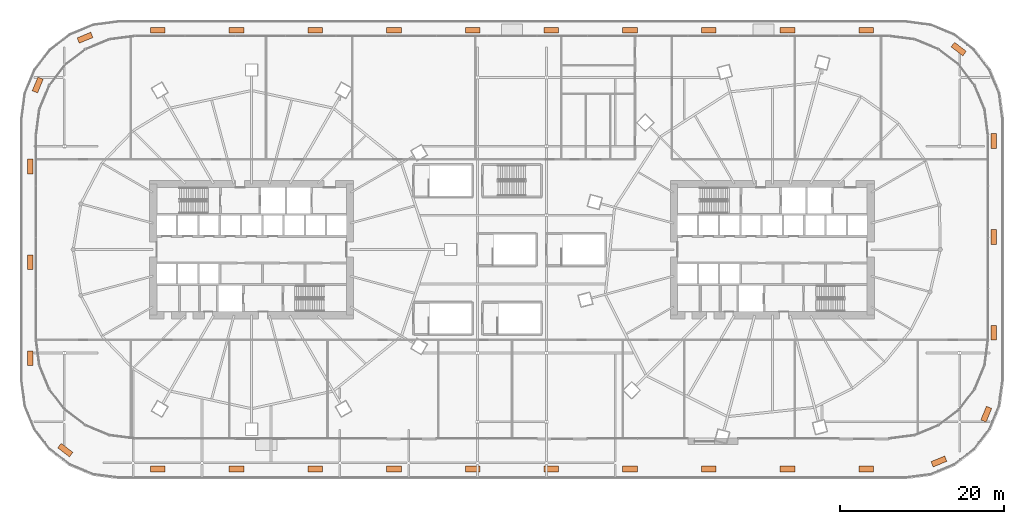
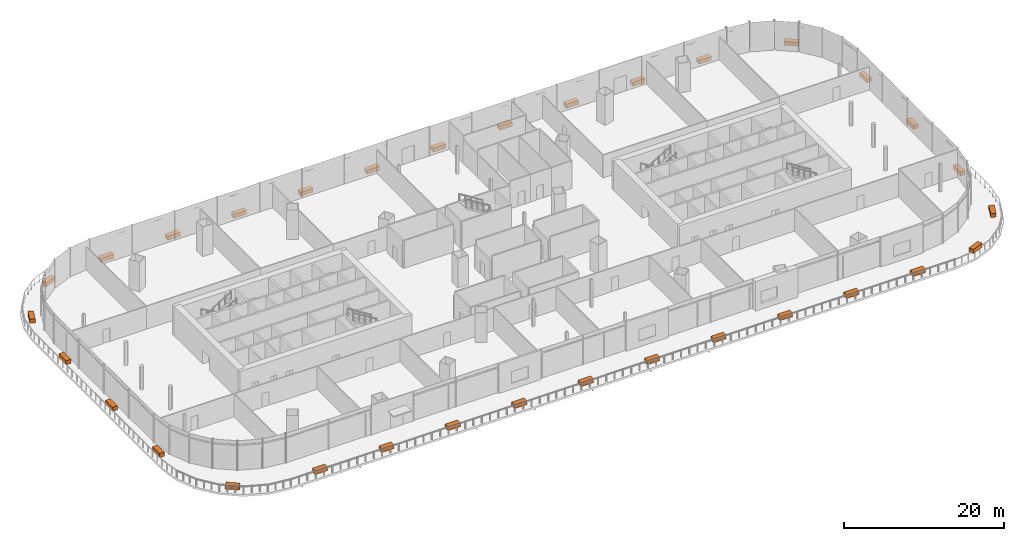
# One storey, part 49 of 49: 32 proxies.
"""IFC4 building model written with IfcOpenShell, lengths in metres."""

from ifc_helpers import new_model, si_unit, direction, frame, origin, origin_2d, place, context, subcontext, project, spatial, rectangle, extrude, material, type_object, element, save


model = new_model("IFC4")

# Units and contexts
model_context = context("Model", 3, precision=1e-05, world=origin(), true_north=direction((0.0, 1.0)))
body_context = subcontext(model_context, "Body", "Model", "MODEL_VIEW")
ifc_project = project(units=[si_unit("LENGTHUNIT", "METRE"), si_unit("AREAUNIT", "SQUARE_METRE"), si_unit("VOLUMEUNIT", "CUBIC_METRE"), si_unit("PLANEANGLEUNIT", "RADIAN"), si_unit("MASSUNIT", "GRAM", prefix="KILO")], contexts=[model_context])

# Site, building, storey
site_placement = place(None, origin())
site = spatial("IfcSite", under=ifc_project, at=site_placement, CompositionType="ELEMENT")
building_placement = place(site_placement, origin())
building = spatial("IfcBuilding", under=site, at=building_placement, Name="Rimbun Link Towers", CompositionType="ELEMENT")
storey_placement = place(building_placement, frame((0.0, 0.0, 25.5)))
storey = spatial("IfcBuildingStorey", under=building, at=storey_placement, Name="L05", CompositionType="ELEMENT", Elevation=25.5)

# Proxies
ifc_material = material(Name="Concrete C30/37", Category="concrete")
building_element_proxy_type = type_object("IfcBuildingElementProxyType", Name="PLANTER precast box 1800X700X600", PredefinedType="USERDEFINED", material=ifc_material)
for number, where, z_axis, x_axis, name in (
    (1, (52.068359375, -25.83935546875, 0.0), (0.0, 0.0, 1.0), (0.923881438965, 0.382678829747, 0.0), "PLANTER"),
    (2, (57.83935546875, -20.068359375, 0.0), (0.0, 0.0, 1.0), (0.382678829747, 0.923881438965, 0.0), "PLANTER"),
    (3, (58.75, -10.142333984375, 0.0), (0.0, 0.0, 1.0), (0.0, 1.0, 0.0), "PLANTER"),
    (4, (58.75, 1.546630859375, 0.0), (0.0, 0.0, 1.0), (0.0, 1.0, 0.0), "PLANTER"),
    (5, (58.75, 13.235595703125, 0.0), (0.0, 0.0, 1.0), (0.0, 1.0, 0.0), "PLANTER"),
    (6, (54.4765625, 24.451171875, 0.0), (0.0, 0.0, 1.0), (-0.793359162281, 0.608753841569, 0.0), "PLANTER"),
    (7, (43.188232421875, 26.75, 0.0), (0.0, 0.0, 1.0), (-1.0, 0.0, 0.0), "PLANTER"),
    (8, (33.5908203125, 26.75, 0.0), (0.0, 0.0, 1.0), (-1.0, 0.0, 0.0), "PLANTER"),
    (9, (23.993408203125, 26.75, 0.0), (0.0, 0.0, 1.0), (-1.0, 0.0, 0.0), "PLANTER"),
    (10, (14.39599609375, 26.75, 0.0), (0.0, 0.0, 1.0), (-1.0, 0.0, 0.0), "PLANTER"),
    (11, (4.798583984375, 26.75, 0.0), (0.0, 0.0, 1.0), (-1.0, 0.0, 0.0), "PLANTER"),
    (12, (-4.798583984375, 26.75, 0.0), (0.0, 0.0, 1.0), (-1.0, 0.0, 0.0), "PLANTER"),
    (13, (-14.39599609375, 26.75, 0.0), (0.0, 0.0, 1.0), (-1.0, 0.0, 0.0), "PLANTER"),
    (14, (-23.993408203125, 26.75, 0.0), (0.0, 0.0, 1.0), (-1.0, 0.0, 0.0), "PLANTER"),
    (15, (-33.5908203125, 26.75, 0.0), (0.0, 0.0, 1.0), (-1.0, 0.0, 0.0), "PLANTER"),
    (16, (-43.188232421875, 26.75, 0.0), (0.0, 0.0, 1.0), (-1.0, 0.0, 0.0), "PLANTER"),
    (17, (-52.068359375, 25.83935546875, 0.0), (0.0, 0.0, 1.0), (-0.923881438965, -0.382678829747, 0.0), "PLANTER"),
    (18, (-57.83935546875, 20.068359375, 0.0), (0.0, 0.0, 1.0), (-0.382678829747, -0.923881438965, 0.0), "PLANTER"),
    (19, (-58.75, 10.142333984375, 0.0), (0.0, 0.0, 1.0), (0.0, -1.0, 0.0), "PLANTER"),
    (20, (-58.75, -1.546630859375, 0.0), (0.0, 0.0, 1.0), (0.0, -1.0, 0.0), "PLANTER"),
    (21, (-58.75, -13.235595703125, 0.0), (0.0, 0.0, 1.0), (0.0, -1.0, 0.0), "PLANTER"),
    (22, (-54.4765625, -24.451171875, 0.0), (0.0, 0.0, 1.0), (0.793359162281, -0.608753841569, 0.0), "PLANTER"),
    (23, (-43.188232421875, -26.75, 0.0), (0.0, 0.0, 1.0), (1.0, 0.0, 0.0), "PLANTER"),
    (24, (-33.5908203125, -26.75, 0.0), (0.0, 0.0, 1.0), (1.0, 0.0, 0.0), "PLANTER"),
    (25, (-23.993408203125, -26.75, 0.0), (0.0, 0.0, 1.0), (1.0, 0.0, 0.0), "PLANTER"),
    (26, (-14.39599609375, -26.75, 0.0), (0.0, 0.0, 1.0), (1.0, 0.0, 0.0), "PLANTER"),
    (27, (-4.798583984375, -26.75, 0.0), (0.0, 0.0, 1.0), (1.0, 0.0, 0.0), "PLANTER"),
    (28, (4.798583984375, -26.75, 0.0), (0.0, 0.0, 1.0), (1.0, 0.0, 0.0), "PLANTER"),
    (29, (14.39599609375, -26.75, 0.0), (0.0, 0.0, 1.0), (1.0, 0.0, 0.0), "PLANTER"),
    (30, (23.993408203125, -26.75, 0.0), (0.0, 0.0, 1.0), (1.0, 0.0, 0.0), "PLANTER"),
    (31, (33.5908203125, -26.75, 0.0), (0.0, 0.0, 1.0), (1.0, 0.0, 0.0), "PLANTER"),
    (32, (43.188232421875, -26.75, 0.0), (0.0, 0.0, 1.0), (1.0, 0.0, 0.0), "PLANTER"),
):
    element("IfcBuildingElementProxy", number, at=place(storey_placement, frame(where, z_axis=z_axis, x_axis=x_axis)), inside=storey, type_object=building_element_proxy_type, Name=name, ObjectType="PLANTER", PredefinedType="USERDEFINED", context=body_context, shape_type="SweptSolid", body=[
        extrude(rectangle(XDim=1.800048828125, YDim=0.699951171875, at=origin_2d()), origin(), (0.0, 0.0, 1.0), 0.60009765625),
    ])

save(model, "model.ifc")
